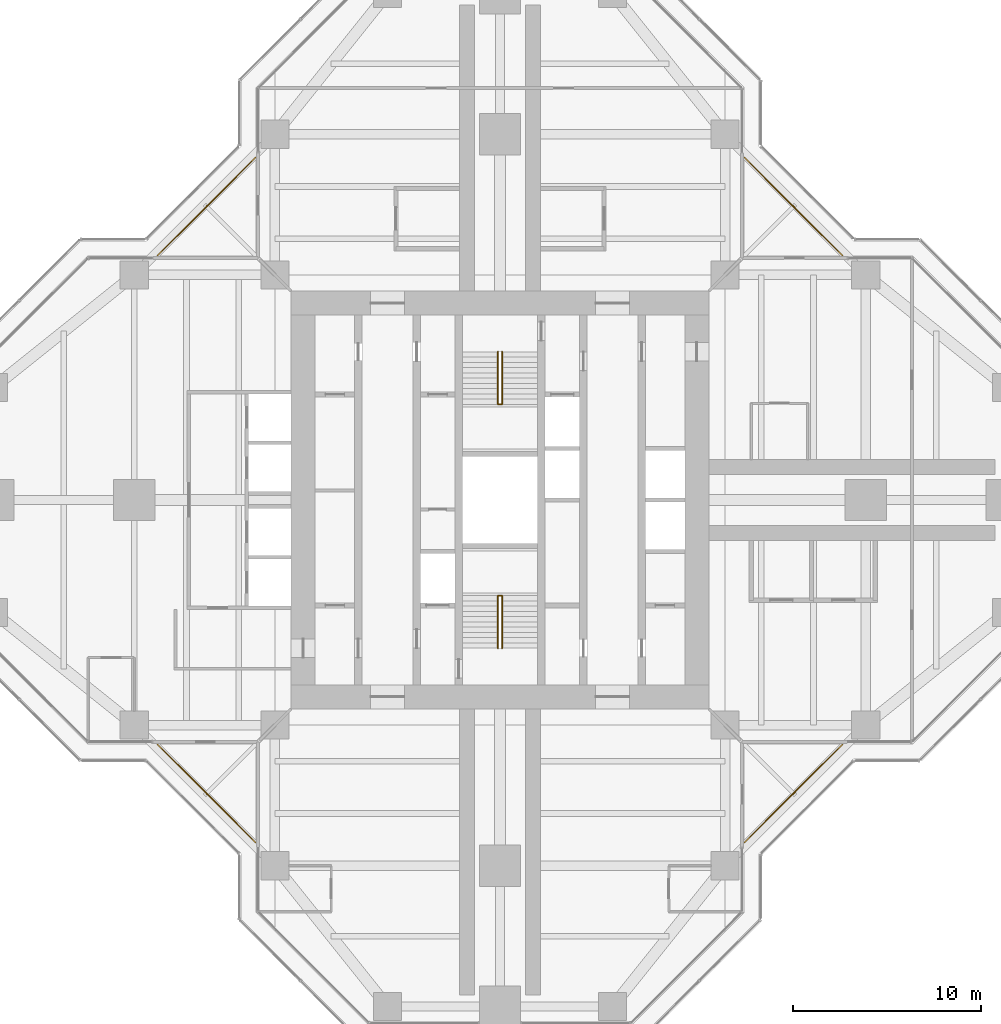
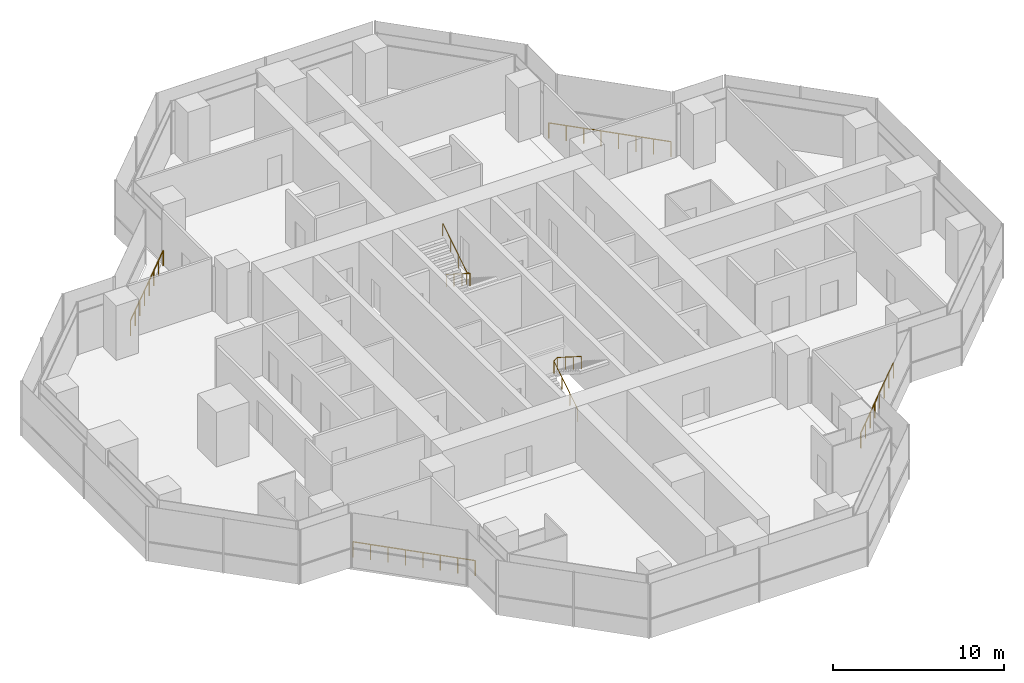
# One storey, part 17 of 17: 6 railings.
"""IFC4 building model written with IfcOpenShell, lengths in metres."""

from ifc_helpers import new_model, si_unit, direction, frame, origin, origin_2d, place, context, subcontext, project, spatial, circle, extrude, material, type_object, element, save


model = new_model("IFC4")

# Units and contexts
model_context = context("Model", 3, precision=1e-05, world=origin(), true_north=direction((0.0, 1.0)))
body_context = subcontext(model_context, "Body", "Model", "MODEL_VIEW")
ifc_project = project(units=[si_unit("LENGTHUNIT", "METRE"), si_unit("AREAUNIT", "SQUARE_METRE"), si_unit("VOLUMEUNIT", "CUBIC_METRE"), si_unit("PLANEANGLEUNIT", "RADIAN"), si_unit("MASSUNIT", "GRAM", prefix="KILO")], contexts=[model_context])

# Site, building, storey
site_placement = place(None, origin())
site = spatial("IfcSite", under=ifc_project, at=site_placement, CompositionType="ELEMENT")
building_placement = place(site_placement, origin())
building = spatial("IfcBuilding", under=site, at=building_placement, Name="Mizan Broadcast Tower", CompositionType="ELEMENT")
storey_placement = place(building_placement, frame((0.0, 0.0, 232.199951171875)))
storey = spatial("IfcBuildingStorey", under=building, at=storey_placement, Name="L54", CompositionType="ELEMENT", Elevation=232.199951171875)

# Railings
ifc_material_1 = material(Name="Stainless steel and glass guard", Category="steel")
railing_type_1 = type_object("IfcRailingType", Name="GUARD 1100", PredefinedType="GUARDRAIL", material=ifc_material_1)
railing_1_placement = place(storey_placement, frame((18.2578125, 13.030029296875, 0.0)))
element("IfcRailing", 1, at=railing_1_placement, inside=storey, type_object=railing_type_1, Name="Winter garden guard L54 E", PredefinedType="GUARDRAIL", context=body_context, shape_type="SweptSolid", body=[
    extrude(circle(Radius=0.02392578125, at=origin_2d()), frame((0.0, 0.0, 1.076171875), z_axis=(-0.707106781187, 0.707106781187, 0.0), x_axis=(-0.707106781187, -0.707106781187, 0.0)), (0.0, 0.0, 1.0), 7.393310546875),
    extrude(circle(Radius=0.02099609375, at=origin_2d()), origin(), (0.0, 0.0, 1.0), 1.052001953125),
    extrude(circle(Radius=0.02099609375, at=origin_2d()), frame((-0.746826171875, 0.746826171875, 0.0)), (0.0, 0.0, 1.0), 1.052001953125),
    extrude(circle(Radius=0.02099609375, at=origin_2d()), frame((-1.49365234375, 1.49365234375, 0.0)), (0.0, 0.0, 1.0), 1.052001953125),
    extrude(circle(Radius=0.02099609375, at=origin_2d()), frame((-2.240478515625, 2.240478515625, 0.0)), (0.0, 0.0, 1.0), 1.052001953125),
    extrude(circle(Radius=0.02099609375, at=origin_2d()), frame((-2.9873046875, 2.9873046875, 0.0)), (0.0, 0.0, 1.0), 1.052001953125),
    extrude(circle(Radius=0.02099609375, at=origin_2d()), frame((-3.734130859375, 3.734130859375, 0.0)), (0.0, 0.0, 1.0), 1.052001953125),
    extrude(circle(Radius=0.02099609375, at=origin_2d()), frame((-4.48095703125, 4.48095703125, 0.0)), (0.0, 0.0, 1.0), 1.052001953125),
    extrude(circle(Radius=0.02099609375, at=origin_2d()), frame((-5.227783203125, 5.227783203125, 0.0)), (0.0, 0.0, 1.0), 1.052001953125),
])
railing_2_placement = place(storey_placement, frame((-13.030029296875, 18.2578125, 0.0)))
element("IfcRailing", 2, at=railing_2_placement, inside=storey, type_object=railing_type_1, Name="Winter garden guard L54 N", PredefinedType="GUARDRAIL", context=body_context, shape_type="SweptSolid", body=[
    extrude(circle(Radius=0.02392578125, at=origin_2d()), frame((0.0, 0.0, 1.076171875), z_axis=(-0.707106781187, -0.707106781187, 0.0), x_axis=(0.707106781187, -0.707106781187, 0.0)), (0.0, 0.0, 1.0), 7.393310546875),
    extrude(circle(Radius=0.02099609375, at=origin_2d()), origin(), (0.0, 0.0, 1.0), 1.052001953125),
    extrude(circle(Radius=0.02099609375, at=origin_2d()), frame((-0.746826171875, -0.746826171875, 0.0)), (0.0, 0.0, 1.0), 1.052001953125),
    extrude(circle(Radius=0.02099609375, at=origin_2d()), frame((-1.49365234375, -1.49365234375, 0.0)), (0.0, 0.0, 1.0), 1.052001953125),
    extrude(circle(Radius=0.02099609375, at=origin_2d()), frame((-2.240478515625, -2.240478515625, 0.0)), (0.0, 0.0, 1.0), 1.052001953125),
    extrude(circle(Radius=0.02099609375, at=origin_2d()), frame((-2.9873046875, -2.9873046875, 0.0)), (0.0, 0.0, 1.0), 1.052001953125),
    extrude(circle(Radius=0.02099609375, at=origin_2d()), frame((-3.734130859375, -3.734130859375, 0.0)), (0.0, 0.0, 1.0), 1.052001953125),
    extrude(circle(Radius=0.02099609375, at=origin_2d()), frame((-4.48095703125, -4.48095703125, 0.0)), (0.0, 0.0, 1.0), 1.052001953125),
    extrude(circle(Radius=0.02099609375, at=origin_2d()), frame((-5.227783203125, -5.227783203125, 0.0)), (0.0, 0.0, 1.0), 1.052001953125),
])
railing_3_placement = place(storey_placement, frame((-18.2578125, -13.030029296875, 0.0)))
element("IfcRailing", 3, at=railing_3_placement, inside=storey, type_object=railing_type_1, Name="Winter garden guard L54 W", PredefinedType="GUARDRAIL", context=body_context, shape_type="SweptSolid", body=[
    extrude(circle(Radius=0.02392578125, at=origin_2d()), frame((0.0, 0.0, 1.076171875), z_axis=(0.707106781187, -0.707106781187, 0.0), x_axis=(0.707106781187, 0.707106781187, 0.0)), (0.0, 0.0, 1.0), 7.393310546875),
    extrude(circle(Radius=0.02099609375, at=origin_2d()), origin(), (0.0, 0.0, 1.0), 1.052001953125),
    extrude(circle(Radius=0.02099609375, at=origin_2d()), frame((0.746826171875, -0.746826171875, 0.0)), (0.0, 0.0, 1.0), 1.052001953125),
    extrude(circle(Radius=0.02099609375, at=origin_2d()), frame((1.49365234375, -1.49365234375, 0.0)), (0.0, 0.0, 1.0), 1.052001953125),
    extrude(circle(Radius=0.02099609375, at=origin_2d()), frame((2.240478515625, -2.240478515625, 0.0)), (0.0, 0.0, 1.0), 1.052001953125),
    extrude(circle(Radius=0.02099609375, at=origin_2d()), frame((2.9873046875, -2.9873046875, 0.0)), (0.0, 0.0, 1.0), 1.052001953125),
    extrude(circle(Radius=0.02099609375, at=origin_2d()), frame((3.734130859375, -3.734130859375, 0.0)), (0.0, 0.0, 1.0), 1.052001953125),
    extrude(circle(Radius=0.02099609375, at=origin_2d()), frame((4.48095703125, -4.48095703125, 0.0)), (0.0, 0.0, 1.0), 1.052001953125),
    extrude(circle(Radius=0.02099609375, at=origin_2d()), frame((5.227783203125, -5.227783203125, 0.0)), (0.0, 0.0, 1.0), 1.052001953125),
])
railing_4_placement = place(storey_placement, frame((13.030029296875, -18.2578125, 0.0)))
element("IfcRailing", 4, at=railing_4_placement, inside=storey, type_object=railing_type_1, Name="Winter garden guard L54 S", PredefinedType="GUARDRAIL", context=body_context, shape_type="SweptSolid", body=[
    extrude(circle(Radius=0.02392578125, at=origin_2d()), frame((0.0, 0.0, 1.076171875), z_axis=(0.707106781187, 0.707106781187, 0.0), x_axis=(-0.707106781187, 0.707106781187, 0.0)), (0.0, 0.0, 1.0), 7.393310546875),
    extrude(circle(Radius=0.02099609375, at=origin_2d()), origin(), (0.0, 0.0, 1.0), 1.052001953125),
    extrude(circle(Radius=0.02099609375, at=origin_2d()), frame((0.746826171875, 0.746826171875, 0.0)), (0.0, 0.0, 1.0), 1.052001953125),
    extrude(circle(Radius=0.02099609375, at=origin_2d()), frame((1.49365234375, 1.49365234375, 0.0)), (0.0, 0.0, 1.0), 1.052001953125),
    extrude(circle(Radius=0.02099609375, at=origin_2d()), frame((2.240478515625, 2.240478515625, 0.0)), (0.0, 0.0, 1.0), 1.052001953125),
    extrude(circle(Radius=0.02099609375, at=origin_2d()), frame((2.9873046875, 2.9873046875, 0.0)), (0.0, 0.0, 1.0), 1.052001953125),
    extrude(circle(Radius=0.02099609375, at=origin_2d()), frame((3.734130859375, 3.734130859375, 0.0)), (0.0, 0.0, 1.0), 1.052001953125),
    extrude(circle(Radius=0.02099609375, at=origin_2d()), frame((4.48095703125, 4.48095703125, 0.0)), (0.0, 0.0, 1.0), 1.052001953125),
    extrude(circle(Radius=0.02099609375, at=origin_2d()), frame((5.227783203125, 5.227783203125, 0.0)), (0.0, 0.0, 1.0), 1.052001953125),
])
ifc_material_2 = material(Name="Stainless steel", Category="steel")
railing_type_2 = type_object("IfcRailingType", Name="HANDRAIL 50", PredefinedType="HANDRAIL", material=ifc_material_2)
railing_5_placement = place(storey_placement, frame((-0.110107421875, -7.89990234375, 0.17724609375)))
element("IfcRailing", 5, at=railing_5_placement, inside=storey, type_object=railing_type_2, Name="Stair A handrail", PredefinedType="HANDRAIL", context=body_context, shape_type="SweptSolid", body=[
    extrude(circle(Radius=0.02392578125, at=origin_2d()), frame((0.0, 0.0, 0.8759765625), z_axis=(0.0, 0.844887892834, 0.53494340686), x_axis=(-1.0, 0.0, 0.0)), (0.0, 0.0, 1.0), 3.313720703125),
    extrude(circle(Radius=0.02392578125, at=origin_2d()), frame((0.0, 2.7998046875, 2.6484375), z_axis=(0.77858989007, 0.0, 0.627533093216), x_axis=(0.0, 1.0, 0.0)), (0.0, 0.0, 1.0), 0.282958984375),
    extrude(circle(Radius=0.02392578125, at=origin_2d()), frame((0.22021484375, 2.7998046875, 2.826171875), z_axis=(0.0, -0.844887892834, 0.53494340686), x_axis=(1.0, 0.0, 0.0)), (0.0, 0.0, 1.0), 3.313720703125),
    extrude(circle(Radius=0.02099609375, at=origin_2d()), origin(), (0.0, 0.0, 1.0), 0.851806640625),
    extrude(circle(Radius=0.02099609375, at=origin_2d()), frame((0.0, 0.933349609375, 0.5908203125)), (0.0, 0.0, 1.0), 0.851806640625),
    extrude(circle(Radius=0.02099609375, at=origin_2d()), frame((0.0, 1.866455078125, 1.181884765625)), (0.0, 0.0, 1.0), 0.851806640625),
    extrude(circle(Radius=0.02099609375, at=origin_2d()), frame((0.0, 2.7998046875, 1.772705078125)), (0.0, 0.0, 1.0), 0.851806640625),
    extrude(circle(Radius=0.02099609375, at=origin_2d()), frame((0.22021484375, 2.7998046875, 1.9501953125)), (0.0, 0.0, 1.0), 0.851806640625),
    extrude(circle(Radius=0.02099609375, at=origin_2d()), frame((0.22021484375, 1.866455078125, 2.541015625)), (0.0, 0.0, 1.0), 0.851806640625),
    extrude(circle(Radius=0.02099609375, at=origin_2d()), frame((0.22021484375, 0.933349609375, 3.132080078125)), (0.0, 0.0, 1.0), 0.851806640625),
    extrude(circle(Radius=0.02099609375, at=origin_2d()), frame((0.22021484375, 0.0, 3.722900390625)), (0.0, 0.0, 1.0), 0.851806640625),
])
railing_6_placement = place(storey_placement, frame((0.110107421875, 7.89990234375, 0.17724609375)))
element("IfcRailing", 6, at=railing_6_placement, inside=storey, type_object=railing_type_2, Name="Stair B handrail", PredefinedType="HANDRAIL", context=body_context, shape_type="SweptSolid", body=[
    extrude(circle(Radius=0.02392578125, at=origin_2d()), frame((0.0, 0.0, 0.8759765625), z_axis=(0.0, -0.844887892834, 0.53494340686), x_axis=(1.0, 0.0, 0.0)), (0.0, 0.0, 1.0), 3.313720703125),
    extrude(circle(Radius=0.02392578125, at=origin_2d()), frame((0.0, -2.7998046875, 2.6484375), z_axis=(-0.77858989007, 0.0, 0.627533093216), x_axis=(0.0, -1.0, 0.0)), (0.0, 0.0, 1.0), 0.282958984375),
    extrude(circle(Radius=0.02392578125, at=origin_2d()), frame((-0.22021484375, -2.7998046875, 2.826171875), z_axis=(0.0, 0.844887892834, 0.53494340686), x_axis=(-1.0, 0.0, 0.0)), (0.0, 0.0, 1.0), 3.313720703125),
    extrude(circle(Radius=0.02099609375, at=origin_2d()), origin(), (0.0, 0.0, 1.0), 0.851806640625),
    extrude(circle(Radius=0.02099609375, at=origin_2d()), frame((0.0, -0.933349609375, 0.5908203125)), (0.0, 0.0, 1.0), 0.851806640625),
    extrude(circle(Radius=0.02099609375, at=origin_2d()), frame((0.0, -1.866455078125, 1.181884765625)), (0.0, 0.0, 1.0), 0.851806640625),
    extrude(circle(Radius=0.02099609375, at=origin_2d()), frame((0.0, -2.7998046875, 1.772705078125)), (0.0, 0.0, 1.0), 0.851806640625),
    extrude(circle(Radius=0.02099609375, at=origin_2d()), frame((-0.22021484375, -2.7998046875, 1.9501953125)), (0.0, 0.0, 1.0), 0.851806640625),
    extrude(circle(Radius=0.02099609375, at=origin_2d()), frame((-0.22021484375, -1.866455078125, 2.541015625)), (0.0, 0.0, 1.0), 0.851806640625),
    extrude(circle(Radius=0.02099609375, at=origin_2d()), frame((-0.22021484375, -0.933349609375, 3.132080078125)), (0.0, 0.0, 1.0), 0.851806640625),
    extrude(circle(Radius=0.02099609375, at=origin_2d()), frame((-0.22021484375, 0.0, 3.722900390625)), (0.0, 0.0, 1.0), 0.851806640625),
])

save(model, "model.ifc")
